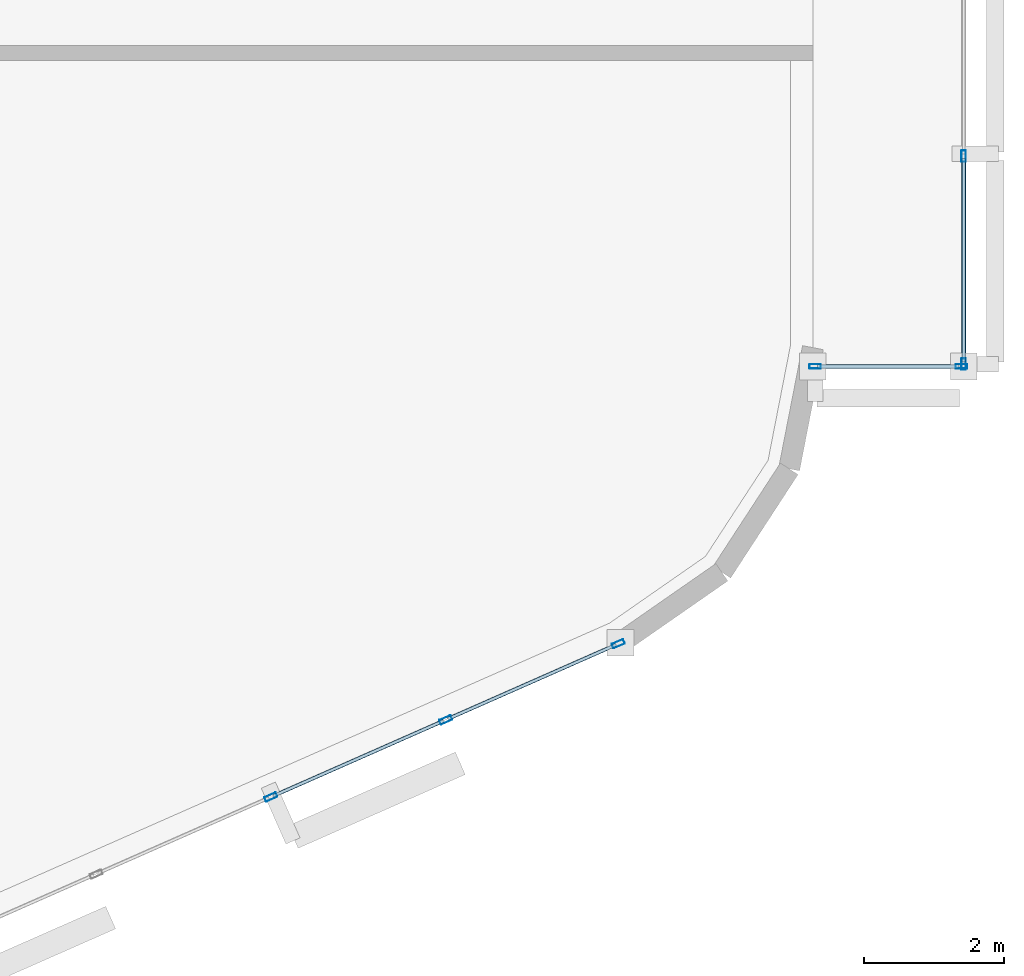
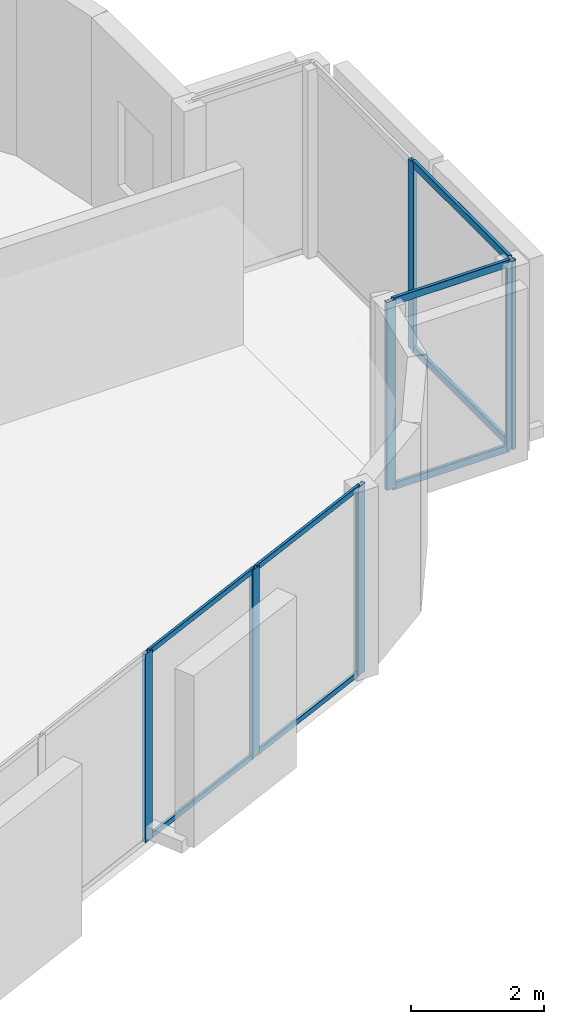
# One storey, part 4 of 13: 15 members, 3 elements without a shape of their own.
"""IFC4 building model written with IfcOpenShell, lengths in metres."""

from ifc_helpers import new_model, si_unit, direction, frame, origin, origin_2d, place, context, subcontext, project, spatial, hollow_rectangle, extrude, material, layer, layer_set, material_profile, profile_set, type_object, element, aggregate, save


model = new_model("IFC4")

# Units and contexts
model_context = context("Model", 3, precision=1e-05, world=origin(), true_north=direction((0.0, 1.0)))
body_context = subcontext(model_context, "Body", "Model", "MODEL_VIEW")
ifc_project = project(units=[si_unit("LENGTHUNIT", "METRE"), si_unit("AREAUNIT", "SQUARE_METRE"), si_unit("VOLUMEUNIT", "CUBIC_METRE"), si_unit("PLANEANGLEUNIT", "RADIAN"), si_unit("MASSUNIT", "GRAM", prefix="KILO")], contexts=[model_context])

# Site, building, storey
site_placement = place(None, origin())
site = spatial("IfcSite", under=ifc_project, at=site_placement, CompositionType="ELEMENT")
building_placement = place(site_placement, origin())
building = spatial("IfcBuilding", under=site, at=building_placement, Name="An Khanh Terracotta Commons", CompositionType="ELEMENT")
storey_placement = place(building_placement, frame((0.0, 0.0, 288.0)))
storey = spatial("IfcBuildingStorey", under=building, at=storey_placement, Name="L75", CompositionType="ELEMENT", Elevation=288.0)

# Curtain wall, members
ifc_material = material(Name="Anodised Aluminium 6063-T6", Category="aluminium")
ifc_layer_1 = layer(ifc_material, 0.239990234375, Name="Anodised Aluminium 6063-T6")
ifc_layer_set_1 = layer_set([ifc_layer_1], Name="Anodised Aluminium 6063-T6")
curtain_wall_type_1 = type_object("IfcCurtainWallType", Name="CW-SYS-04", PredefinedType="USERDEFINED", material=ifc_layer_set_1)
curtain_wall_1_placement = place(storey_placement, origin())
curtain_wall_1 = element("IfcCurtainWall", 1, at=curtain_wall_1_placement, inside=storey, type_object=curtain_wall_type_1, Name="L75 CW-04 Unitised Curtain Wall CW-L75-EBOX-1", ObjectType="UNITISED CURTAIN WALL", PredefinedType="USERDEFINED")
ifc_material_profile_1 = material_profile(ifc_material, hollow_rectangle(XDim=0.06494140625, YDim=0.1650390625, WallThickness=0.00390625, InnerFilletRadius=0.00390625, OuterFilletRadius=0.008056640625, at=origin_2d()), Name="RHS165x65x4")
ifc_profile_set_1 = profile_set([ifc_material_profile_1], Name="Anodised Aluminium 6063-T6")
member_type_1 = type_object("IfcMemberType", Name="CWM-RHS165x65x4", PredefinedType="MULLION", material=ifc_profile_set_1)
member_1_placement = place(storey_placement, frame((77.75, 19.5625, 0.0), z_axis=(0.0, 0.0, 1.0), x_axis=(-1.0, 0.0, 0.0)))
member_1 = element("IfcMember", 2, at=member_1_placement, type_object=member_type_1, Name="CW-04 mullion 1", PredefinedType="MULLION", context=body_context, shape_type="SweptSolid", body=[
    extrude(hollow_rectangle(XDim=0.06494140625, YDim=0.1650390625, WallThickness=0.00390625, InnerFilletRadius=0.00390625, OuterFilletRadius=0.008056640625, at=origin_2d()), origin(), (0.0, 0.0, 1.0), 3.449951171875),
])
member_2_placement = place(storey_placement, frame((77.75, 22.530029296875, 0.0), z_axis=(0.0, 0.0, 1.0), x_axis=(-1.0, 0.0, 0.0)))
member_2 = element("IfcMember", 3, at=member_2_placement, type_object=member_type_1, Name="CW-04 mullion 2", PredefinedType="MULLION", context=body_context, shape_type="SweptSolid", body=[
    extrude(hollow_rectangle(XDim=0.06494140625, YDim=0.1650390625, WallThickness=0.00390625, InnerFilletRadius=0.00390625, OuterFilletRadius=0.008056640625, at=origin_2d()), origin(), (0.0, 0.0, 1.0), 3.449951171875),
])

curtain_wall_2_placement = place(storey_placement, origin())
curtain_wall_2 = element("IfcCurtainWall", 4, at=curtain_wall_2_placement, inside=storey, type_object=curtain_wall_type_1, Name="L75 CW-04 Unitised Curtain Wall CW-L75-EBOX-2", ObjectType="UNITISED CURTAIN WALL", PredefinedType="USERDEFINED")
member_3_placement = place(storey_placement, frame((75.632568359375, 19.530029296875, 0.0), z_axis=(0.0, 0.0, 1.0), x_axis=(0.0, 1.0, 0.0)))
member_3 = element("IfcMember", 5, at=member_3_placement, type_object=member_type_1, Name="CW-04 mullion 1", PredefinedType="MULLION", context=body_context, shape_type="SweptSolid", body=[
    extrude(hollow_rectangle(XDim=0.06494140625, YDim=0.1650390625, WallThickness=0.00390625, InnerFilletRadius=0.00390625, OuterFilletRadius=0.008056640625, at=origin_2d()), origin(), (0.0, 0.0, 1.0), 3.449951171875),
])
member_4_placement = place(storey_placement, frame((77.717529296875, 19.530029296875, 0.0), z_axis=(0.0, 0.0, 1.0), x_axis=(0.0, 1.0, 0.0)))
member_4 = element("IfcMember", 6, at=member_4_placement, type_object=member_type_1, Name="CW-04 mullion 2", PredefinedType="MULLION", context=body_context, shape_type="SweptSolid", body=[
    extrude(hollow_rectangle(XDim=0.06494140625, YDim=0.1650390625, WallThickness=0.00390625, InnerFilletRadius=0.00390625, OuterFilletRadius=0.008056640625, at=origin_2d()), origin(), (0.0, 0.0, 1.0), 3.449951171875),
])

ifc_layer_2 = layer(ifc_material, 0.2099609375, Name="Anodised Aluminium 6063-T6")
ifc_layer_set_2 = layer_set([ifc_layer_2], Name="Anodised Aluminium 6063-T6")
curtain_wall_type_2 = type_object("IfcCurtainWallType", Name="CW-SYS-03", PredefinedType="USERDEFINED", material=ifc_layer_set_2)
curtain_wall_3_placement = place(storey_placement, origin())
curtain_wall_3 = element("IfcCurtainWall", 7, at=curtain_wall_3_placement, inside=storey, type_object=curtain_wall_type_2, Name="L75 CW-03 Unitised Curtain Wall CW-L75-08", ObjectType="UNITISED CURTAIN WALL", PredefinedType="USERDEFINED")
ifc_material_profile_2 = material_profile(ifc_material, hollow_rectangle(XDim=0.070068359375, YDim=0.179931640625, WallThickness=0.00390625, InnerFilletRadius=0.00390625, OuterFilletRadius=0.008056640625, at=origin_2d()), Name="RHS180x70x4")
ifc_profile_set_2 = profile_set([ifc_material_profile_2], Name="Anodised Aluminium 6063-T6")
member_type_2 = type_object("IfcMemberType", Name="CWM-RHS180x70x4", PredefinedType="MULLION", material=ifc_profile_set_2)
member_5_placement = place(storey_placement, frame((67.8720703125, 13.390380859375, 0.0), z_axis=(0.0, 0.0, 1.0), x_axis=(-0.403676354285, 0.914901853201, 0.0)))
member_5 = element("IfcMember", 8, at=member_5_placement, type_object=member_type_2, Name="CW-03 mullion 3", PredefinedType="MULLION", context=body_context, shape_type="SweptSolid", body=[
    extrude(hollow_rectangle(XDim=0.070068359375, YDim=0.179931640625, WallThickness=0.00390625, InnerFilletRadius=0.00390625, OuterFilletRadius=0.008056640625, at=origin_2d()), origin(), (0.0, 0.0, 1.0), 3.449951171875),
])
member_6_placement = place(storey_placement, frame((70.364501953125, 14.490234375, 0.0), z_axis=(0.0, 0.0, 1.0), x_axis=(-0.403676354285, 0.914901853201, 0.0)))
member_6 = element("IfcMember", 9, at=member_6_placement, type_object=member_type_2, Name="CW-03 mullion 4", PredefinedType="MULLION", context=body_context, shape_type="SweptSolid", body=[
    extrude(hollow_rectangle(XDim=0.070068359375, YDim=0.179931640625, WallThickness=0.00390625, InnerFilletRadius=0.00390625, OuterFilletRadius=0.008056640625, at=origin_2d()), origin(), (0.0, 0.0, 1.0), 3.449951171875),
])
member_7_placement = place(storey_placement, frame((72.824951171875, 15.575927734375, 0.0), z_axis=(0.0, 0.0, 1.0), x_axis=(-0.403676354285, 0.914901853201, 0.0)))
member_7 = element("IfcMember", 10, at=member_7_placement, type_object=member_type_2, Name="CW-03 mullion 5", PredefinedType="MULLION", context=body_context, shape_type="SweptSolid", body=[
    extrude(hollow_rectangle(XDim=0.070068359375, YDim=0.179931640625, WallThickness=0.00390625, InnerFilletRadius=0.00390625, OuterFilletRadius=0.008056640625, at=origin_2d()), origin(), (0.0, 0.0, 1.0), 3.449951171875),
])
ifc_material_profile_3 = material_profile(ifc_material, hollow_rectangle(XDim=0.050048828125, YDim=0.10009765625, WallThickness=0.003173828125, InnerFilletRadius=0.003173828125, OuterFilletRadius=0.00634765625, at=origin_2d()), Name="RHS100x50x3.2")
ifc_profile_set_3 = profile_set([ifc_material_profile_3], Name="Anodised Aluminium 6063-T6")
member_type_3 = type_object("IfcMemberType", Name="CWT-RHS100x50x3.2", PredefinedType="USERDEFINED", material=ifc_profile_set_3)
member_8_placement = place(storey_placement, frame((67.904052734375, 13.404541015625, 0.02490234375), z_axis=(0.914896820753, 0.403687759755, 0.0), x_axis=(-0.403687759755, 0.914896820753, 0.0)))
member_8 = element("IfcMember", 11, at=member_8_placement, type_object=member_type_3, Name="CW-03 transom 3.1", ObjectType="TRANSOM", PredefinedType="USERDEFINED", context=body_context, shape_type="SweptSolid", body=[
    extrude(hollow_rectangle(XDim=0.050048828125, YDim=0.10009765625, WallThickness=0.003173828125, InnerFilletRadius=0.003173828125, OuterFilletRadius=0.00634765625, at=origin_2d()), origin(), (0.0, 0.0, 1.0), 2.654296875),
])
member_9_placement = place(storey_placement, frame((67.904052734375, 13.404541015625, 3.425048828125), z_axis=(0.914896820753, 0.403687759755, 0.0), x_axis=(-0.403687759755, 0.914896820753, 0.0)))
member_9 = element("IfcMember", 12, at=member_9_placement, type_object=member_type_3, Name="CW-03 transom 3.2", ObjectType="TRANSOM", PredefinedType="USERDEFINED", context=body_context, shape_type="SweptSolid", body=[
    extrude(hollow_rectangle(XDim=0.050048828125, YDim=0.10009765625, WallThickness=0.003173828125, InnerFilletRadius=0.003173828125, OuterFilletRadius=0.00634765625, at=origin_2d()), origin(), (0.0, 0.0, 1.0), 2.654296875),
])
member_10_placement = place(storey_placement, frame((70.396484375, 14.50439453125, 0.02490234375), z_axis=(0.914903627858, 0.403672332137, 0.0), x_axis=(-0.403672332137, 0.914903627858, 0.0)))
member_10 = element("IfcMember", 13, at=member_10_placement, type_object=member_type_3, Name="CW-03 transom 4.1", ObjectType="TRANSOM", PredefinedType="USERDEFINED", context=body_context, shape_type="SweptSolid", body=[
    extrude(hollow_rectangle(XDim=0.050048828125, YDim=0.10009765625, WallThickness=0.003173828125, InnerFilletRadius=0.003173828125, OuterFilletRadius=0.00634765625, at=origin_2d()), origin(), (0.0, 0.0, 1.0), 2.619384765625),
])
member_11_placement = place(storey_placement, frame((70.396484375, 14.50439453125, 3.425048828125), z_axis=(0.914903627858, 0.403672332137, 0.0), x_axis=(-0.403672332137, 0.914903627858, 0.0)))
member_11 = element("IfcMember", 14, at=member_11_placement, type_object=member_type_3, Name="CW-03 transom 4.2", ObjectType="TRANSOM", PredefinedType="USERDEFINED", context=body_context, shape_type="SweptSolid", body=[
    extrude(hollow_rectangle(XDim=0.050048828125, YDim=0.10009765625, WallThickness=0.003173828125, InnerFilletRadius=0.003173828125, OuterFilletRadius=0.00634765625, at=origin_2d()), origin(), (0.0, 0.0, 1.0), 2.619384765625),
])
aggregate(curtain_wall_3, [member_5, member_6, member_7, member_8, member_9, member_10, member_11])

# Member
ifc_material_profile_4 = material_profile(ifc_material, hollow_rectangle(XDim=0.06005859375, YDim=0.135009765625, WallThickness=0.003662109375, InnerFilletRadius=0.003662109375, OuterFilletRadius=0.007080078125, at=origin_2d()), Name="RHS135x60x3.6")
ifc_profile_set_4 = profile_set([ifc_material_profile_4], Name="Anodised Aluminium 6063-T6")
member_type_4 = type_object("IfcMemberType", Name="CWT-RHS135x60x3.6", PredefinedType="USERDEFINED", material=ifc_profile_set_4)
member_12_placement = place(storey_placement, frame((77.75, 19.594970703125, 0.030029296875), z_axis=(0.0, 1.0, 0.0), x_axis=(-1.0, 0.0, 0.0)))
member_12 = element("IfcMember", 15, at=member_12_placement, type_object=member_type_4, Name="CW-04 transom 1.1", ObjectType="TRANSOM", PredefinedType="USERDEFINED", context=body_context, shape_type="SweptSolid", body=[
    extrude(hollow_rectangle(XDim=0.06005859375, YDim=0.135009765625, WallThickness=0.003662109375, InnerFilletRadius=0.003662109375, OuterFilletRadius=0.007080078125, at=origin_2d()), origin(), (0.0, 0.0, 1.0), 2.902587890625),
])

member_13_placement = place(storey_placement, frame((77.75, 19.594970703125, 3.419921875), z_axis=(0.0, 1.0, 0.0), x_axis=(-1.0, 0.0, 0.0)))
member_13 = element("IfcMember", 16, at=member_13_placement, type_object=member_type_4, Name="CW-04 transom 1.2", ObjectType="TRANSOM", PredefinedType="USERDEFINED", context=body_context, shape_type="SweptSolid", body=[
    extrude(hollow_rectangle(XDim=0.06005859375, YDim=0.135009765625, WallThickness=0.003662109375, InnerFilletRadius=0.003662109375, OuterFilletRadius=0.007080078125, at=origin_2d()), origin(), (0.0, 0.0, 1.0), 2.902587890625),
])

aggregate(curtain_wall_1, [member_1, member_2, member_12, member_13])

member_14_placement = place(storey_placement, frame((75.6650390625, 19.530029296875, 0.030029296875), z_axis=(1.0, 0.0, 0.0), x_axis=(0.0, 1.0, 0.0)))
member_14 = element("IfcMember", 17, at=member_14_placement, type_object=member_type_4, Name="CW-04 transom 1.1", ObjectType="TRANSOM", PredefinedType="USERDEFINED", context=body_context, shape_type="SweptSolid", body=[
    extrude(hollow_rectangle(XDim=0.06005859375, YDim=0.135009765625, WallThickness=0.003662109375, InnerFilletRadius=0.003662109375, OuterFilletRadius=0.007080078125, at=origin_2d()), origin(), (0.0, 0.0, 1.0), 2.02001953125),
])

member_15_placement = place(storey_placement, frame((75.6650390625, 19.530029296875, 3.419921875), z_axis=(1.0, 0.0, 0.0), x_axis=(0.0, 1.0, 0.0)))
member_15 = element("IfcMember", 18, at=member_15_placement, type_object=member_type_4, Name="CW-04 transom 1.2", ObjectType="TRANSOM", PredefinedType="USERDEFINED", context=body_context, shape_type="SweptSolid", body=[
    extrude(hollow_rectangle(XDim=0.06005859375, YDim=0.135009765625, WallThickness=0.003662109375, InnerFilletRadius=0.003662109375, OuterFilletRadius=0.007080078125, at=origin_2d()), origin(), (0.0, 0.0, 1.0), 2.02001953125),
])

aggregate(curtain_wall_2, [member_3, member_4, member_14, member_15])

save(model, "model.ifc")
